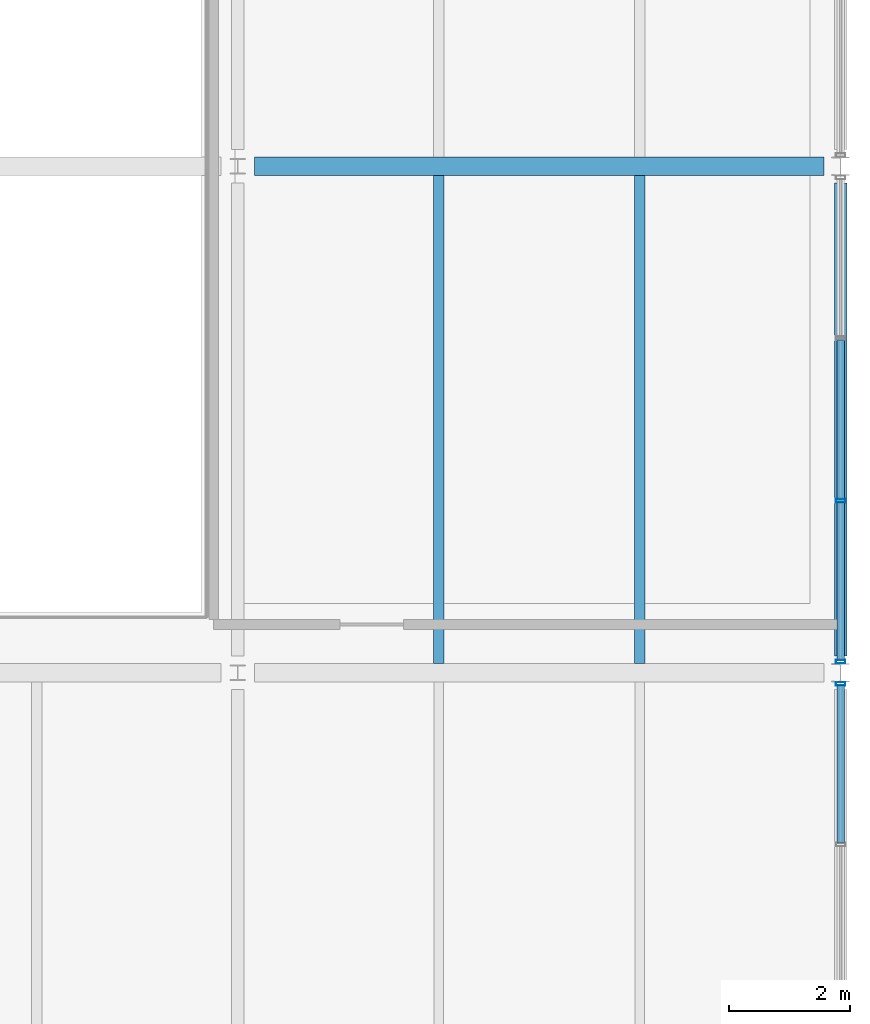
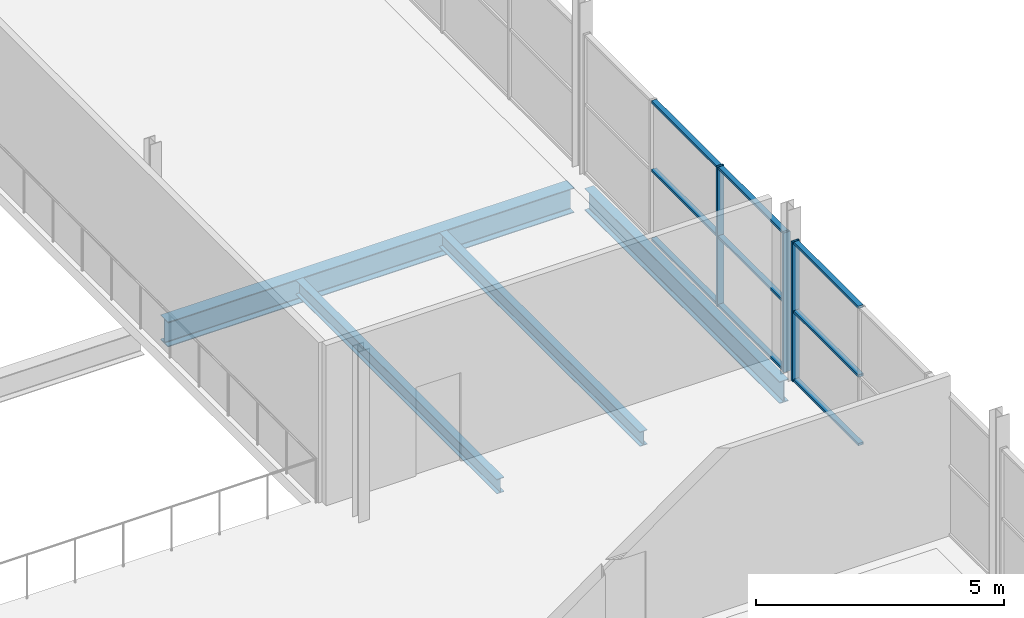
# One storey, part 105 of 161: 12 members, 4 beams, 2 elements without a shape of their own.
"""IFC4 building model written with IfcOpenShell, lengths in metres."""

from ifc_helpers import new_model, si_unit, direction, frame, origin, origin_2d, place, context, subcontext, project, spatial, hollow_rectangle, i_section, extrude, material, material_profile, profile_set, type_object, element, aggregate, save


model = new_model("IFC4")

# Units and contexts
model_context = context("Model", 3, precision=1e-05, world=origin(), true_north=direction((0.0, 1.0)))
body_context = subcontext(model_context, "Body", "Model", "MODEL_VIEW")
ifc_project = project(units=[si_unit("LENGTHUNIT", "METRE"), si_unit("AREAUNIT", "SQUARE_METRE"), si_unit("VOLUMEUNIT", "CUBIC_METRE"), si_unit("PLANEANGLEUNIT", "RADIAN"), si_unit("MASSUNIT", "GRAM", prefix="KILO"), si_unit("THERMODYNAMICTEMPERATUREUNIT", "KELVIN")], contexts=[model_context])

# Site, building, storey
site_placement = place(None, origin())
site = spatial("IfcSite", under=ifc_project, at=site_placement, CompositionType="ELEMENT")
building_placement = place(site_placement, origin())
building = spatial("IfcBuilding", under=site, at=building_placement, Name="Nduvali Passage Aquatics Centre", CompositionType="ELEMENT")
storey_placement = place(building_placement, frame((0.0, 0.0, 4.800048828125)))
storey = spatial("IfcBuildingStorey", under=building, at=storey_placement, Name="L01", CompositionType="ELEMENT", Elevation=4.800048828125)

# Curtain wall, member
ifc_material_1 = material(Name="Aluminium EN AW-6063 T6", Category="aluminium")
curtain_wall_type = type_object("IfcCurtainWallType", Name="ENV-CW-FOYR", PredefinedType="NOTDEFINED", material=ifc_material_1)
curtain_wall_1_placement = place(storey_placement, origin())
curtain_wall_1 = element("IfcCurtainWall", 1, at=curtain_wall_1_placement, inside=storey, type_object=curtain_wall_type, Name="L01 East Avenue Entrance Upper CW 082", PredefinedType="NOTDEFINED")
ifc_material_profile_1 = material_profile(ifc_material_1, hollow_rectangle(XDim=0.06005859375, YDim=0.159912109375, WallThickness=0.00390625, at=origin_2d()), Name="ALU MULLION 60x160x4")
ifc_profile_set_1 = profile_set([ifc_material_profile_1], Name="Aluminium EN AW-6063 T6")
member_type_1 = type_object("IfcMemberType", Name="ENV-MEM-MUL60", PredefinedType="MULLION", material=ifc_profile_set_1)
member_1_placement = place(storey_placement, frame((168.0, 41.81494140625, 0.0), z_axis=(0.0, 0.0, 1.0), x_axis=(0.0, 1.0, 0.0)))
member_1 = element("IfcMember", 2, at=member_1_placement, type_object=member_type_1, Name="East Avenue Entrance Upper CW Mullion 4", PredefinedType="MULLION", context=body_context, shape_type="SweptSolid", body=[
    extrude(hollow_rectangle(XDim=0.06005859375, YDim=0.159912109375, WallThickness=0.00390625, at=origin_2d()), origin(), (0.0, 0.0, 1.0), 3.436279296875),
])

# Curtain wall, members
curtain_wall_2_placement = place(storey_placement, origin())
curtain_wall_2 = element("IfcCurtainWall", 3, at=curtain_wall_2_placement, inside=storey, type_object=curtain_wall_type, Name="L01 East Avenue Entrance Upper CW 084", PredefinedType="NOTDEFINED")
member_2_placement = place(storey_placement, frame((168.0, 42.18505859375, 0.0), z_axis=(0.0, 0.0, 1.0), x_axis=(0.0, 1.0, 0.0)))
member_2 = element("IfcMember", 4, at=member_2_placement, type_object=member_type_1, Name="East Avenue Entrance Upper CW Mullion 1", PredefinedType="MULLION", context=body_context, shape_type="SweptSolid", body=[
    extrude(hollow_rectangle(XDim=0.06005859375, YDim=0.159912109375, WallThickness=0.00390625, at=origin_2d()), origin(), (0.0, 0.0, 1.0), 3.436279296875),
])
member_3_placement = place(storey_placement, frame((168.0, 44.851806640625, 0.0), z_axis=(0.0, 0.0, 1.0), x_axis=(0.0, 1.0, 0.0)))
member_3 = element("IfcMember", 5, at=member_3_placement, type_object=member_type_1, Name="East Avenue Entrance Upper CW Mullion 2", PredefinedType="MULLION", context=body_context, shape_type="SweptSolid", body=[
    extrude(hollow_rectangle(XDim=0.06005859375, YDim=0.159912109375, WallThickness=0.00390625, at=origin_2d()), origin(), (0.0, 0.0, 1.0), 3.436279296875),
])

# Member
ifc_material_profile_2 = material_profile(ifc_material_1, hollow_rectangle(XDim=0.1201171875, YDim=0.06005859375, WallThickness=0.00390625, at=origin_2d()), Name="ALU TRANSOM 120x60x4")
ifc_profile_set_2 = profile_set([ifc_material_profile_2], Name="Aluminium EN AW-6063 T6")
member_type_2 = type_object("IfcMemberType", Name="ENV-MEM-TRN60", PredefinedType="USERDEFINED", material=ifc_profile_set_2)
member_4_placement = place(storey_placement, frame((168.0, 39.17822265625, 0.030029296875), z_axis=(0.0, 1.0, 0.0), x_axis=(-1.0, 0.0, 0.0)))
member_4 = element("IfcMember", 6, at=member_4_placement, type_object=member_type_2, Name="East Avenue Entrance Upper CW Transom B3-R0", ObjectType="TRANSOM", PredefinedType="USERDEFINED", context=body_context, shape_type="SweptSolid", body=[
    extrude(hollow_rectangle(XDim=0.1201171875, YDim=0.06005859375, WallThickness=0.00390625, at=origin_2d()), origin(), (0.0, 0.0, 1.0), 2.606689453125),
])

member_5_placement = place(storey_placement, frame((168.0, 39.17822265625, 1.71826171875), z_axis=(0.0, 1.0, 0.0), x_axis=(-1.0, 0.0, 0.0)))
member_5 = element("IfcMember", 7, at=member_5_placement, type_object=member_type_2, Name="East Avenue Entrance Upper CW Transom B3-R1", ObjectType="TRANSOM", PredefinedType="USERDEFINED", context=body_context, shape_type="SweptSolid", body=[
    extrude(hollow_rectangle(XDim=0.1201171875, YDim=0.06005859375, WallThickness=0.00390625, at=origin_2d()), origin(), (0.0, 0.0, 1.0), 2.606689453125),
])

member_6_placement = place(storey_placement, frame((168.0, 39.17822265625, 3.40625), z_axis=(0.0, 1.0, 0.0), x_axis=(-1.0, 0.0, 0.0)))
member_6 = element("IfcMember", 8, at=member_6_placement, type_object=member_type_2, Name="East Avenue Entrance Upper CW Transom B3-R2", ObjectType="TRANSOM", PredefinedType="USERDEFINED", context=body_context, shape_type="SweptSolid", body=[
    extrude(hollow_rectangle(XDim=0.1201171875, YDim=0.06005859375, WallThickness=0.00390625, at=origin_2d()), origin(), (0.0, 0.0, 1.0), 2.606689453125),
])

aggregate(curtain_wall_1, [member_1, member_4, member_5, member_6])

member_7_placement = place(storey_placement, frame((168.0, 42.215087890625, 0.030029296875), z_axis=(0.0, 1.0, 0.0), x_axis=(-1.0, 0.0, 0.0)))
member_7 = element("IfcMember", 9, at=member_7_placement, type_object=member_type_2, Name="East Avenue Entrance Upper CW Transom B1-R0", ObjectType="TRANSOM", PredefinedType="USERDEFINED", context=body_context, shape_type="SweptSolid", body=[
    extrude(hollow_rectangle(XDim=0.1201171875, YDim=0.06005859375, WallThickness=0.00390625, at=origin_2d()), origin(), (0.0, 0.0, 1.0), 2.606689453125),
])

member_8_placement = place(storey_placement, frame((168.0, 42.215087890625, 1.71826171875), z_axis=(0.0, 1.0, 0.0), x_axis=(-1.0, 0.0, 0.0)))
member_8 = element("IfcMember", 10, at=member_8_placement, type_object=member_type_2, Name="East Avenue Entrance Upper CW Transom B1-R1", ObjectType="TRANSOM", PredefinedType="USERDEFINED", context=body_context, shape_type="SweptSolid", body=[
    extrude(hollow_rectangle(XDim=0.1201171875, YDim=0.06005859375, WallThickness=0.00390625, at=origin_2d()), origin(), (0.0, 0.0, 1.0), 2.606689453125),
])

member_9_placement = place(storey_placement, frame((168.0, 42.215087890625, 3.40625), z_axis=(0.0, 1.0, 0.0), x_axis=(-1.0, 0.0, 0.0)))
member_9 = element("IfcMember", 11, at=member_9_placement, type_object=member_type_2, Name="East Avenue Entrance Upper CW Transom B1-R2", ObjectType="TRANSOM", PredefinedType="USERDEFINED", context=body_context, shape_type="SweptSolid", body=[
    extrude(hollow_rectangle(XDim=0.1201171875, YDim=0.06005859375, WallThickness=0.00390625, at=origin_2d()), origin(), (0.0, 0.0, 1.0), 2.606689453125),
])

member_10_placement = place(storey_placement, frame((168.0, 44.881591796875, 0.030029296875), z_axis=(0.0, 1.0, 0.0), x_axis=(-1.0, 0.0, 0.0)))
member_10 = element("IfcMember", 12, at=member_10_placement, type_object=member_type_2, Name="East Avenue Entrance Upper CW Transom B2-R0", ObjectType="TRANSOM", PredefinedType="USERDEFINED", context=body_context, shape_type="SweptSolid", body=[
    extrude(hollow_rectangle(XDim=0.1201171875, YDim=0.06005859375, WallThickness=0.00390625, at=origin_2d()), origin(), (0.0, 0.0, 1.0), 2.63671875),
])

member_11_placement = place(storey_placement, frame((168.0, 44.881591796875, 1.71826171875), z_axis=(0.0, 1.0, 0.0), x_axis=(-1.0, 0.0, 0.0)))
member_11 = element("IfcMember", 13, at=member_11_placement, type_object=member_type_2, Name="East Avenue Entrance Upper CW Transom B2-R1", ObjectType="TRANSOM", PredefinedType="USERDEFINED", context=body_context, shape_type="SweptSolid", body=[
    extrude(hollow_rectangle(XDim=0.1201171875, YDim=0.06005859375, WallThickness=0.00390625, at=origin_2d()), origin(), (0.0, 0.0, 1.0), 2.63671875),
])

member_12_placement = place(storey_placement, frame((168.0, 44.881591796875, 3.40625), z_axis=(0.0, 1.0, 0.0), x_axis=(-1.0, 0.0, 0.0)))
member_12 = element("IfcMember", 14, at=member_12_placement, type_object=member_type_2, Name="East Avenue Entrance Upper CW Transom B2-R2", ObjectType="TRANSOM", PredefinedType="USERDEFINED", context=body_context, shape_type="SweptSolid", body=[
    extrude(hollow_rectangle(XDim=0.1201171875, YDim=0.06005859375, WallThickness=0.00390625, at=origin_2d()), origin(), (0.0, 0.0, 1.0), 2.63671875),
])

aggregate(curtain_wall_2, [member_2, member_3, member_7, member_8, member_9, member_10, member_11, member_12])

# Beams
ifc_material_2 = material(Name="Steel S355", Category="steel")
ifc_material_profile_3 = material_profile(ifc_material_2, i_section(OverallWidth=0.210693359375, OverallDepth=0.53955078125, WebThickness=0.01171875, FlangeThickness=0.018798828125, FilletRadius=0.0126953125, at=origin_2d()), Name="UKB 533x210x109")
ifc_profile_set_3 = profile_set([ifc_material_profile_3], Name="Steel S355")
beam_type_1 = type_object("IfcBeamType", Name="STR-BM-UKB533-EXT", PredefinedType="BEAM", material=ifc_profile_set_3)
beam_1_placement = place(storey_placement, frame((168.0, 42.27490234375, -0.553955078125), z_axis=(0.0, 1.0, 0.0), x_axis=(-1.0, 0.0, 0.0)))
element("IfcBeam", 15, at=beam_1_placement, inside=storey, type_object=beam_type_1, Name="L01 Primary Y-Girder B6E-0684", PredefinedType="BEAM", context=body_context, shape_type="SweptSolid", body=[
    extrude(i_section(OverallWidth=0.210693359375, OverallDepth=0.53955078125, WebThickness=0.01171875, FlangeThickness=0.018798828125, FilletRadius=0.0126953125, at=origin_2d()), origin(), (0.0, 0.0, 1.0), 7.85009765625),
])
ifc_material_profile_4 = material_profile(ifc_material_2, i_section(OverallWidth=0.3046875, OverallDepth=0.6123046875, WebThickness=0.01171875, FlangeThickness=0.019775390625, FilletRadius=0.0166015625, at=origin_2d()), Name="UKB 610x305x149")
ifc_profile_set_4 = profile_set([ifc_material_profile_4], Name="Steel S355")
beam_type_2 = type_object("IfcBeamType", Name="STR-BM-UKB610W", PredefinedType="BEAM", material=ifc_profile_set_4)
beam_2_placement = place(storey_placement, frame((158.27490234375, 50.39990234375, -0.59033203125), z_axis=(1.0, 0.0, 0.0), x_axis=(0.0, 1.0, 0.0)))
element("IfcBeam", 16, at=beam_2_placement, inside=storey, type_object=beam_type_2, Name="L01 Primary X-Girder B5A-0486", PredefinedType="BEAM", context=body_context, shape_type="SweptSolid", body=[
    extrude(i_section(OverallWidth=0.3046875, OverallDepth=0.6123046875, WebThickness=0.01171875, FlangeThickness=0.019775390625, FilletRadius=0.0166015625, at=origin_2d()), origin(), (0.0, 0.0, 1.0), 9.4501953125),
])
ifc_material_profile_5 = material_profile(ifc_material_2, i_section(OverallWidth=0.172119140625, OverallDepth=0.35791015625, WebThickness=0.008056640625, FlangeThickness=0.012939453125, FilletRadius=0.01025390625, at=origin_2d()), Name="UKB 356x171x57")
ifc_profile_set_5 = profile_set([ifc_material_profile_5], Name="Steel S355")
beam_type_3 = type_object("IfcBeamType", Name="STR-JST-UKB356", PredefinedType="JOIST", material=ifc_profile_set_5)
for number, where, z_axis, x_axis, name in (
    (17, (161.333251953125, 42.15234375, -0.463134765625), (0.0, 1.0, 0.0), (-1.0, 0.0, 0.0), "L01 Secondary Joist J2-0763"),
    (18, (164.666748046875, 42.15234375, -0.463134765625), (0.0, 1.0, 0.0), (-1.0, 0.0, 0.0), "L01 Secondary Joist J2-0764"),
):
    element("IfcBeam", number, at=place(storey_placement, frame(where, z_axis=z_axis, x_axis=x_axis)), inside=storey, type_object=beam_type_3, Name=name, PredefinedType="JOIST", context=body_context, shape_type="SweptSolid", body=[
        extrude(i_section(OverallWidth=0.172119140625, OverallDepth=0.35791015625, WebThickness=0.008056640625, FlangeThickness=0.012939453125, FilletRadius=0.01025390625, at=origin_2d()), origin(), (0.0, 0.0, 1.0), 8.09521484375),
    ])

save(model, "model.ifc")
